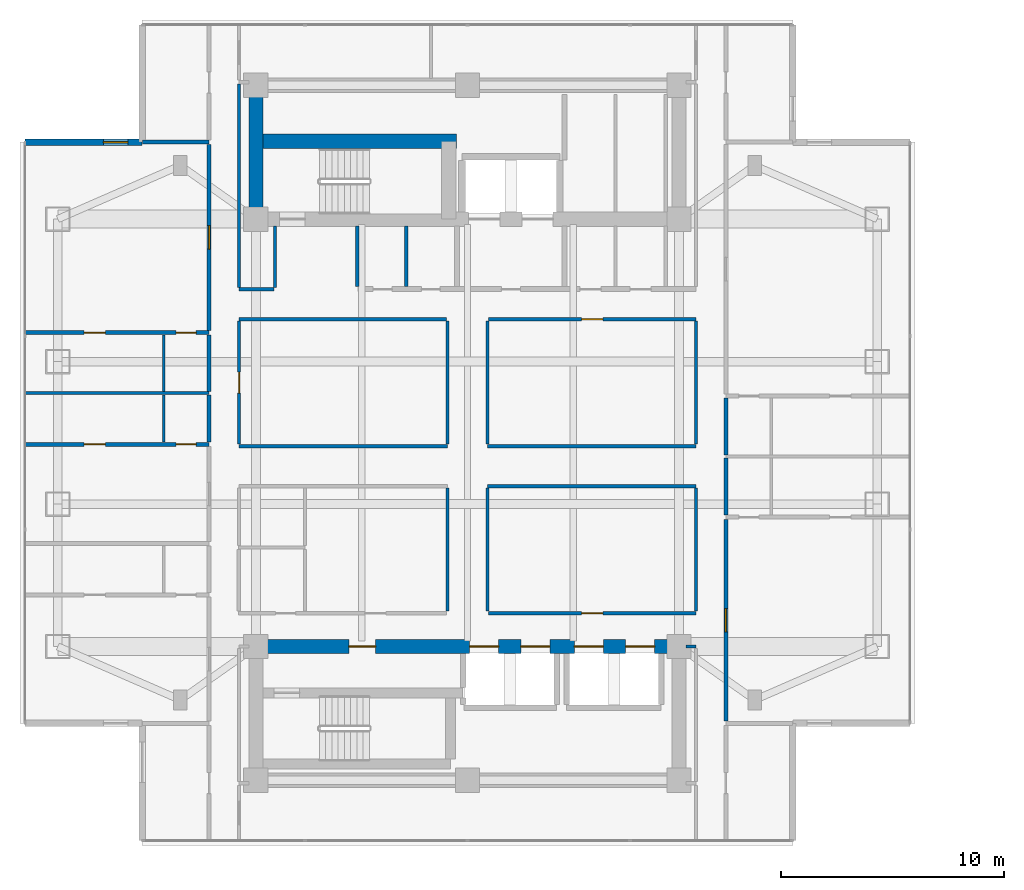
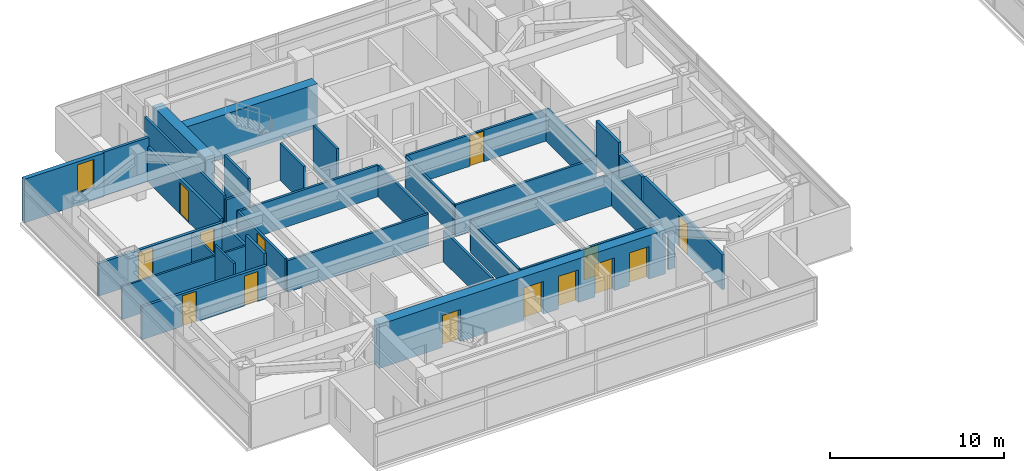
# One storey, part 14 of 24: 35 walls, 14 doors, 1 window, 15 openings.
"""IFC4 building model written with IfcOpenShell, lengths in metres."""

from ifc_helpers import new_model, si_unit, direction, frame, frame_2d, origin, place, context, subcontext, project, spatial, rectangle, extrude, material, layer, layer_set, type_object, element, fill, save


model = new_model("IFC4")

# Units and contexts
model_context = context("Model", 3, precision=1e-05, world=origin(), true_north=direction((0.0, 1.0)))
body_context = subcontext(model_context, "Body", "Model", "MODEL_VIEW")
ifc_project = project(units=[si_unit("LENGTHUNIT", "METRE"), si_unit("AREAUNIT", "SQUARE_METRE"), si_unit("VOLUMEUNIT", "CUBIC_METRE"), si_unit("PLANEANGLEUNIT", "RADIAN"), si_unit("MASSUNIT", "GRAM", prefix="KILO")], contexts=[model_context])

# Site, building, storey
site_placement = place(None, origin())
site = spatial("IfcSite", under=ifc_project, at=site_placement, CompositionType="ELEMENT")
building_placement = place(site_placement, origin())
building = spatial("IfcBuilding", under=site, at=building_placement, Name="Mirazonda Arch Towers", CompositionType="ELEMENT")
storey_placement = place(building_placement, frame((0.0, 0.0, 118.10009765625)))
storey = spatial("IfcBuildingStorey", under=building, at=storey_placement, Name="L33", CompositionType="ELEMENT", Elevation=118.10009765625)

# Walls
ifc_material_1 = material(Name="Concrete C60/75", Category="concrete")
ifc_layer_1 = layer(ifc_material_1, 0.64990234375, Name="WALL-CORE-650")
ifc_layer_set_1 = layer_set([ifc_layer_1], Name="Concrete C60/75")
wall_type_1 = type_object("IfcWallType", Name="WALL-CORE-650", PredefinedType="SHEAR", material=ifc_layer_set_1)
wall_1_placement = place(storey_placement, frame((11.0, 37.60009765625, 0.0), z_axis=(0.0, 0.0, 1.0), x_axis=(0.0, 1.0, 0.0)))
element("IfcWall", 1, at=wall_1_placement, inside=storey, type_object=wall_type_1, Name="L33 T1N-W Core Shear Wall", PredefinedType="SHEAR", context=body_context, shape_type="SweptSolid", body=[
    extrude(rectangle(XDim=6.0, YDim=0.64990234375, at=frame_2d((3.0, 0.0))), origin(), (0.0, 0.0, 1.0), 3.079833984375),
])
wall_2_placement = place(storey_placement, frame((11.0, 41.093017578125, 0.0), z_axis=(0.0, 0.0, 1.0), x_axis=(1.0, 0.0, 0.0)))
element("IfcWall", 2, at=wall_2_placement, inside=storey, type_object=wall_type_1, Name="L33 T1N-STN Core Shear Wall", PredefinedType="SHEAR", context=body_context, shape_type="SweptSolid", body=[
    extrude(rectangle(XDim=9.0, YDim=0.64990234375, at=frame_2d((4.5, 0.0))), origin(), (0.0, 0.0, 1.0), 3.079833984375),
])

# Wall, openings, doors
wall_3_placement = place(storey_placement, frame((11.0, 18.39990234375, 0.0), z_axis=(0.0, 0.0, 1.0), x_axis=(1.0, 0.0, 0.0)))
wall_3 = element("IfcWall", 3, at=wall_3_placement, inside=storey, type_object=wall_type_1, Name="L33 T1S-N Core Shear Wall", PredefinedType="SHEAR", context=body_context, shape_type="SweptSolid", body=[
    extrude(rectangle(XDim=19.0, YDim=0.64990234375, at=frame_2d((9.5, 0.0))), origin(), (0.0, 0.0, 1.0), 3.079833984375),
])
opening_1_placement = place(wall_3_placement, frame((4.175048828125, 0.0, 0.0)))
opening_1 = element("IfcOpeningElement", 4, at=opening_1_placement, cuts=wall_3, Name="Opening DR-117", PredefinedType="OPENING", context=body_context, shape_type="SweptSolid", body=[
    extrude(rectangle(XDim=1.199951171875, YDim=2.25, at=frame_2d((0.60009765625, 1.125))), frame((0.0, 0.3349609375, 0.0), z_axis=(0.0, -1.0, 0.0), x_axis=(1.0, 0.0, 0.0)), (0.0, 0.0, 1.0), 0.669921875),
])
opening_2_placement = place(wall_3_placement, frame((9.60009765625, 0.0, 0.0)))
opening_2 = element("IfcOpeningElement", 5, at=opening_2_placement, cuts=wall_3, Name="Opening LD-111", PredefinedType="OPENING", context=body_context, shape_type="SweptSolid", body=[
    extrude(rectangle(XDim=1.300048828125, YDim=2.300048828125, at=frame_2d((0.64990234375, 1.14990234375))), frame((0.0, 0.3349609375, 0.0), z_axis=(0.0, -1.0, 0.0), x_axis=(1.0, 0.0, 0.0)), (0.0, 0.0, 1.0), 0.669921875),
])
opening_3_placement = place(wall_3_placement, frame((11.89990234375, 0.0, 0.0)))
opening_3 = element("IfcOpeningElement", 6, at=opening_3_placement, cuts=wall_3, Name="Opening LD-111", PredefinedType="OPENING", context=body_context, shape_type="SweptSolid", body=[
    extrude(rectangle(XDim=1.300048828125, YDim=2.300048828125, at=frame_2d((0.64990234375, 1.14990234375))), frame((0.0, 0.3349609375, 0.0), z_axis=(0.0, -1.0, 0.0), x_axis=(1.0, 0.0, 0.0)), (0.0, 0.0, 1.0), 0.669921875),
])
opening_4_placement = place(wall_3_placement, frame((14.300048828125, 0.0, 0.0)))
opening_4 = element("IfcOpeningElement", 7, at=opening_4_placement, cuts=wall_3, Name="Opening LD-111", PredefinedType="OPENING", context=body_context, shape_type="SweptSolid", body=[
    extrude(rectangle(XDim=1.300048828125, YDim=2.300048828125, at=frame_2d((0.64990234375, 1.14990234375))), frame((0.0, 0.3349609375, 0.0), z_axis=(0.0, -1.0, 0.0), x_axis=(1.0, 0.0, 0.0)), (0.0, 0.0, 1.0), 0.669921875),
])
opening_5_placement = place(wall_3_placement, frame((16.60009765625, 0.0, 0.0)))
opening_5 = element("IfcOpeningElement", 8, at=opening_5_placement, cuts=wall_3, Name="Opening LD-111", PredefinedType="OPENING", context=body_context, shape_type="SweptSolid", body=[
    extrude(rectangle(XDim=1.300048828125, YDim=2.300048828125, at=frame_2d((0.64990234375, 1.14990234375))), frame((0.0, 0.3349609375, 0.0), z_axis=(0.0, -1.0, 0.0), x_axis=(1.0, 0.0, 0.0)), (0.0, 0.0, 1.0), 0.669921875),
])
ifc_material_2 = material(Name="Architectural Brushed Steel S355", Category="steel")
door_type_1 = type_object("IfcDoorType", Name="DOOR-FFL-FD90-1200", OperationType="NOTDEFINED", PredefinedType="DOOR", material=ifc_material_2)
door_1_placement = place(opening_1_placement, origin())
door_1 = element("IfcDoor", 9, at=door_1_placement, inside=storey, type_object=door_type_1, Name="L33 South Core Stair & Lift Lobby Door", OperationType="SINGLE_SWING_LEFT", OverallHeight=2.25, OverallWidth=1.199951171875, PredefinedType="DOOR", context=body_context, shape_type="SweptSolid", body=[
    extrude(rectangle(XDim=1.199951171875, YDim=2.25, at=frame_2d((0.60009765625, 1.125))), frame((0.0, 0.02490234375, 0.0), z_axis=(0.0, -1.0, 0.0), x_axis=(1.0, 0.0, 0.0)), (0.0, 0.0, 1.0), 0.050048828125),
])
fill(opening_1, door_1)
door_type_2 = type_object("IfcDoorType", Name="DOOR-LIFT-LAND-1300", OperationType="NOTDEFINED", PredefinedType="DOOR", material=ifc_material_2)
door_2_placement = place(opening_2_placement, origin())
door_2 = element("IfcDoor", 10, at=door_2_placement, inside=storey, type_object=door_type_2, Name="L33 Lift Landing Sliding Door PL-T1M1", OperationType="DOUBLE_DOOR_SLIDING", OverallHeight=2.300048828125, OverallWidth=1.300048828125, PredefinedType="DOOR", context=body_context, shape_type="SweptSolid", body=[
    extrude(rectangle(XDim=1.300048828125, YDim=2.300048828125, at=frame_2d((0.64990234375, 1.14990234375))), frame((0.0, 0.02490234375, 0.0), z_axis=(0.0, -1.0, 0.0), x_axis=(1.0, 0.0, 0.0)), (0.0, 0.0, 1.0), 0.050048828125),
])
fill(opening_2, door_2)
door_3_placement = place(opening_3_placement, origin())
door_3 = element("IfcDoor", 11, at=door_3_placement, inside=storey, type_object=door_type_2, Name="L33 Lift Landing Sliding Door PL-T1M2", OperationType="DOUBLE_DOOR_SLIDING", OverallHeight=2.300048828125, OverallWidth=1.300048828125, PredefinedType="DOOR", context=body_context, shape_type="SweptSolid", body=[
    extrude(rectangle(XDim=1.300048828125, YDim=2.300048828125, at=frame_2d((0.64990234375, 1.14990234375))), frame((0.0, 0.02490234375, 0.0), z_axis=(0.0, -1.0, 0.0), x_axis=(1.0, 0.0, 0.0)), (0.0, 0.0, 1.0), 0.050048828125),
])
fill(opening_3, door_3)
door_4_placement = place(opening_4_placement, origin())
door_4 = element("IfcDoor", 12, at=door_4_placement, inside=storey, type_object=door_type_2, Name="L33 Lift Landing Sliding Door PL-T1H1", OperationType="DOUBLE_DOOR_SLIDING", OverallHeight=2.300048828125, OverallWidth=1.300048828125, PredefinedType="DOOR", context=body_context, shape_type="SweptSolid", body=[
    extrude(rectangle(XDim=1.300048828125, YDim=2.300048828125, at=frame_2d((0.64990234375, 1.14990234375))), frame((0.0, 0.02490234375, 0.0), z_axis=(0.0, -1.0, 0.0), x_axis=(1.0, 0.0, 0.0)), (0.0, 0.0, 1.0), 0.050048828125),
])
fill(opening_4, door_4)
door_5_placement = place(opening_5_placement, origin())
door_5 = element("IfcDoor", 13, at=door_5_placement, inside=storey, type_object=door_type_2, Name="L33 Lift Landing Sliding Door PL-T1H2", OperationType="DOUBLE_DOOR_SLIDING", OverallHeight=2.300048828125, OverallWidth=1.300048828125, PredefinedType="DOOR", context=body_context, shape_type="SweptSolid", body=[
    extrude(rectangle(XDim=1.300048828125, YDim=2.300048828125, at=frame_2d((0.64990234375, 1.14990234375))), frame((0.0, 0.02490234375, 0.0), z_axis=(0.0, -1.0, 0.0), x_axis=(1.0, 0.0, 0.0)), (0.0, 0.0, 1.0), 0.050048828125),
])
fill(opening_5, door_5)

# Wall, opening, window
ifc_material_3 = material(Name="Precast Concrete C40/50", Category="concrete")
ifc_layer_2 = layer(ifc_material_3, 0.280029296875, Name="WALL-EXT-WALL-280")
ifc_layer_set_2 = layer_set([ifc_layer_2], Name="Precast Concrete C40/50")
wall_type_2 = type_object("IfcWallType", Name="WALL-EXT-WALL-280", PredefinedType="SOLIDWALL", material=ifc_layer_set_2)
wall_4_placement = place(storey_placement, frame((5.889892578125, 41.050048828125, 0.0), z_axis=(0.0, 0.0, 1.0), x_axis=(-1.0, 0.0, 0.0)))
wall_4 = element("IfcWall", 14, at=wall_4_placement, inside=storey, type_object=wall_type_2, Name="L33 T1 Corner Notch Return Wall WL-L33-T1-CNW1", PredefinedType="SOLIDWALL", context=body_context, shape_type="SweptSolid", body=[
    extrude(rectangle(XDim=5.269775390625, YDim=0.280029296875, at=frame_2d((2.634765625, 0.0))), origin(), (0.0, 0.0, 1.0), 3.059814453125),
])
opening_6_placement = place(wall_4_placement, frame((0.64990234375, 0.0, 0.85009765625)))
opening_6 = element("IfcOpeningElement", 15, at=opening_6_placement, cuts=wall_4, Name="Opening WN-108", PredefinedType="OPENING", context=body_context, shape_type="SweptSolid", body=[
    extrude(rectangle(XDim=1.10009765625, YDim=2.0, at=frame_2d((0.550048828125, 1.0))), frame((0.0, 0.14990234375, 0.0), z_axis=(0.0, -1.0, 0.0), x_axis=(1.0, 0.0, 0.0)), (0.0, 0.0, 1.0), 0.300048828125),
])
ifc_material_4 = material(Name="Insulated Low-E Solar Glass", Category="glass")
window_type = type_object("IfcWindowType", Name="WIN-NOTCH-1100x2000", PartitioningType="SINGLE_PANEL", PredefinedType="WINDOW", material=ifc_material_4)
window_placement = place(opening_6_placement, origin())
window = element("IfcWindow", 16, at=window_placement, inside=storey, type_object=window_type, Name="L33 Punched Facade Window WN-L33-T1-CNW1", OverallHeight=2.0, OverallWidth=1.10009765625, PartitioningType="SINGLE_PANEL", PredefinedType="WINDOW", context=body_context, shape_type="SweptSolid", body=[
    extrude(rectangle(XDim=1.10009765625, YDim=2.0, at=frame_2d((0.550048828125, 1.0))), frame((0.0, 0.030029296875, 0.0), z_axis=(0.0, -1.0, 0.0), x_axis=(1.0, 0.0, 0.0)), (0.0, 0.0, 1.0), 0.06005859375),
])
fill(opening_6, window)

# Wall
ifc_material_5 = material(Name="Fire-Rated Gypsum Stud Partition")
ifc_layer_3 = layer(ifc_material_5, 0.14990234375, Name="WALL-PART-CORR-150")
ifc_layer_set_3 = layer_set([ifc_layer_3], Name="Fire-Rated Gypsum Stud Partition")
wall_type_3 = type_object("IfcWallType", Name="WALL-PART-CORR-150", PredefinedType="PARTITIONING", material=ifc_layer_set_3)
wall_5_placement = place(storey_placement, frame((30.320068359375, 18.39990234375, 0.0), z_axis=(0.0, 0.0, 1.0), x_axis=(1.0, 0.0, 0.0)))
element("IfcWall", 17, at=wall_5_placement, inside=storey, type_object=wall_type_3, Name="L33 Interior Partition 013", PredefinedType="PARTITIONING", context=body_context, shape_type="SweptSolid", body=[
    extrude(rectangle(XDim=0.43994140625, YDim=0.14990234375, at=frame_2d((0.219970703125, 0.0))), origin(), (0.0, 0.0, 1.0), 2.455810546875),
])

# Wall, opening, door
wall_6_placement = place(storey_placement, frame((21.43994140625, 19.89990234375, 0.0), z_axis=(0.0, 0.0, 1.0), x_axis=(1.0, 0.0, 0.0)))
wall_6 = element("IfcWall", 18, at=wall_6_placement, inside=storey, type_object=wall_type_3, Name="L33 Interior Partition 016", PredefinedType="PARTITIONING", context=body_context, shape_type="SweptSolid", body=[
    extrude(rectangle(XDim=9.320068359375, YDim=0.14990234375, at=frame_2d((4.66015625, 0.0))), origin(), (0.0, 0.0, 1.0), 2.2158203125),
])
opening_7_placement = place(wall_6_placement, frame((4.18505859375, 0.0, 0.0)))
opening_7 = element("IfcOpeningElement", 19, at=opening_7_placement, cuts=wall_6, Name="Opening DR-104", PredefinedType="OPENING", context=body_context, shape_type="SweptSolid", body=[
    extrude(rectangle(XDim=0.949951171875, YDim=2.14990234375, at=frame_2d((0.47509765625, 1.074951171875))), frame((0.0, 0.0849609375, 0.0), z_axis=(0.0, -1.0, 0.0), x_axis=(1.0, 0.0, 0.0)), (0.0, 0.0, 1.0), 0.169921875),
])
door_type_3 = type_object("IfcDoorType", Name="DOOR-ROOM-950", OperationType="NOTDEFINED", PredefinedType="DOOR", material=ifc_material_2)
door_6_placement = place(opening_7_placement, origin())
door_6 = element("IfcDoor", 20, at=door_6_placement, inside=storey, type_object=door_type_3, Name="L33 L33 South-East Cruciform Lounge Door", OperationType="SINGLE_SWING_LEFT", OverallHeight=2.14990234375, OverallWidth=0.949951171875, PredefinedType="DOOR", context=body_context, shape_type="SweptSolid", body=[
    extrude(rectangle(XDim=0.949951171875, YDim=2.14990234375, at=frame_2d((0.47509765625, 1.074951171875))), frame((0.0, 0.02490234375, 0.0), z_axis=(0.0, -1.0, 0.0), x_axis=(1.0, 0.0, 0.0)), (0.0, 0.0, 1.0), 0.050048828125),
])
fill(opening_7, door_6)

# Walls
for number, where, z_axis, x_axis, name in (
    (21, (21.39990234375, 25.60009765625, 0.0), (0.0, 0.0, 1.0), (1.0, 0.0, 0.0), "L33 Interior Partition 030"),
    (22, (10.239990234375, 27.39990234375, 0.0), (0.0, 0.0, 1.0), (1.0, 0.0, 0.0), "L33 Interior Partition 036"),
    (23, (21.39990234375, 27.39990234375, 0.0), (0.0, 0.0, 1.0), (1.0, 0.0, 0.0), "L33 Interior Partition 037"),
):
    element("IfcWall", number, at=place(storey_placement, frame(where, z_axis=z_axis, x_axis=x_axis)), inside=storey, type_object=wall_type_3, Name=name, PredefinedType="PARTITIONING", context=body_context, shape_type="SweptSolid", body=[
        extrude(rectangle(XDim=9.360107421875, YDim=0.14990234375, at=frame_2d((4.68017578125, 0.0))), origin(), (0.0, 0.0, 1.0), 2.2158203125),
    ])
wall_7_placement = place(storey_placement, frame((10.239990234375, 33.10009765625, 0.0), z_axis=(0.0, 0.0, 1.0), x_axis=(1.0, 0.0, 0.0)))
element("IfcWall", 24, at=wall_7_placement, inside=storey, type_object=wall_type_3, Name="L33 Interior Partition 048", PredefinedType="PARTITIONING", context=body_context, shape_type="SweptSolid", body=[
    extrude(rectangle(XDim=9.320068359375, YDim=0.14990234375, at=frame_2d((4.66015625, 0.0))), origin(), (0.0, 0.0, 1.0), 2.2158203125),
])

# Wall, opening, door
wall_8_placement = place(storey_placement, frame((21.43994140625, 33.10009765625, 0.0), z_axis=(0.0, 0.0, 1.0), x_axis=(1.0, 0.0, 0.0)))
wall_8 = element("IfcWall", 25, at=wall_8_placement, inside=storey, type_object=wall_type_3, Name="L33 Interior Partition 049", PredefinedType="PARTITIONING", context=body_context, shape_type="SweptSolid", body=[
    extrude(rectangle(XDim=9.320068359375, YDim=0.14990234375, at=frame_2d((4.66015625, 0.0))), origin(), (0.0, 0.0, 1.0), 2.2158203125),
])
opening_8_placement = place(wall_8_placement, frame((4.18505859375, 0.0, 0.0)))
opening_8 = element("IfcOpeningElement", 26, at=opening_8_placement, cuts=wall_8, Name="Opening DR-104", PredefinedType="OPENING", context=body_context, shape_type="SweptSolid", body=[
    extrude(rectangle(XDim=0.949951171875, YDim=2.14990234375, at=frame_2d((0.47509765625, 1.074951171875))), frame((0.0, 0.0849609375, 0.0), z_axis=(0.0, -1.0, 0.0), x_axis=(1.0, 0.0, 0.0)), (0.0, 0.0, 1.0), 0.169921875),
])
door_7_placement = place(opening_8_placement, origin())
door_7 = element("IfcDoor", 27, at=door_7_placement, inside=storey, type_object=door_type_3, Name="L33 L33 North-East Cruciform Study Door", OperationType="SINGLE_SWING_RIGHT", OverallHeight=2.14990234375, OverallWidth=0.949951171875, PredefinedType="DOOR", context=body_context, shape_type="SweptSolid", body=[
    extrude(rectangle(XDim=0.949951171875, YDim=2.14990234375, at=frame_2d((0.47509765625, 1.074951171875))), frame((0.0, 0.02490234375, 0.0), z_axis=(0.0, -1.0, 0.0), x_axis=(1.0, 0.0, 0.0)), (0.0, 0.0, 1.0), 0.050048828125),
])
fill(opening_8, door_7)

# Wall
wall_9_placement = place(storey_placement, frame((10.239990234375, 34.449951171875, 0.0), z_axis=(0.0, 0.0, 1.0), x_axis=(1.0, 0.0, 0.0)))
element("IfcWall", 28, at=wall_9_placement, inside=storey, type_object=wall_type_3, Name="L33 Interior Partition 050", PredefinedType="PARTITIONING", context=body_context, shape_type="SweptSolid", body=[
    extrude(rectangle(XDim=1.56005859375, YDim=0.14990234375, at=frame_2d((0.780029296875, 0.0))), origin(), (0.0, 0.0, 1.0), 2.2158203125),
])

# Wall, opening, door
wall_10_placement = place(storey_placement, frame((10.239990234375, 27.485107421875, 0.0), z_axis=(0.0, 0.0, 1.0), x_axis=(0.0, 1.0, 0.0)))
wall_10 = element("IfcWall", 29, at=wall_10_placement, inside=storey, type_object=wall_type_3, Name="L33 Interior Partition 078", PredefinedType="PARTITIONING", context=body_context, shape_type="SweptSolid", body=[
    extrude(rectangle(XDim=5.52978515625, YDim=0.14990234375, at=frame_2d((2.764892578125, 0.0))), origin(), (0.0, 0.0, 1.0), 2.298828125),
])
opening_9_placement = place(wall_10_placement, frame((2.2900390625, 0.0, 0.0)))
opening_9 = element("IfcOpeningElement", 30, at=opening_9_placement, cuts=wall_10, Name="Opening DR-104", PredefinedType="OPENING", context=body_context, shape_type="SweptSolid", body=[
    extrude(rectangle(XDim=0.949951171875, YDim=2.14990234375, at=frame_2d((0.47509765625, 1.074951171875))), frame((0.0, 0.0849609375, 0.0), z_axis=(0.0, -1.0, 0.0), x_axis=(1.0, 0.0, 0.0)), (0.0, 0.0, 1.0), 0.169921875),
])
door_8_placement = place(opening_9_placement, origin())
door_8 = element("IfcDoor", 31, at=door_8_placement, inside=storey, type_object=door_type_3, Name="L33 L33 West Courtyard Reading Salon Door", OperationType="SINGLE_SWING_RIGHT", OverallHeight=2.14990234375, OverallWidth=0.949951171875, PredefinedType="DOOR", context=body_context, shape_type="SweptSolid", body=[
    extrude(rectangle(XDim=0.949951171875, YDim=2.14990234375, at=frame_2d((0.47509765625, 1.074951171875))), frame((0.0, 0.02490234375, 0.0), z_axis=(0.0, -1.0, 0.0), x_axis=(1.0, 0.0, 0.0)), (0.0, 0.0, 1.0), 0.050048828125),
])
fill(opening_9, door_8)

# Walls
wall_11_placement = place(storey_placement, frame((10.239990234375, 34.534912109375, 0.0), z_axis=(0.0, 0.0, 1.0), x_axis=(0.0, 1.0, 0.0)))
element("IfcWall", 32, at=wall_11_placement, inside=storey, type_object=wall_type_3, Name="L33 Interior Partition 079", PredefinedType="PARTITIONING", context=body_context, shape_type="SweptSolid", body=[
    extrude(rectangle(XDim=9.130126953125, YDim=0.14990234375, at=frame_2d((4.56494140625, 0.0))), origin(), (0.0, 0.0, 1.0), 2.455810546875),
])
wall_12_placement = place(storey_placement, frame((11.85009765625, 34.534912109375, 0.0), z_axis=(0.0, 0.0, 1.0), x_axis=(0.0, 1.0, 0.0)))
element("IfcWall", 33, at=wall_12_placement, inside=storey, type_object=wall_type_3, Name="L33 Interior Partition 081", PredefinedType="PARTITIONING", context=body_context, shape_type="SweptSolid", body=[
    extrude(rectangle(XDim=2.7451171875, YDim=0.14990234375, at=frame_2d((1.37255859375, 0.0))), origin(), (0.0, 0.0, 1.0), 3.079833984375),
])
wall_13_placement = place(storey_placement, frame((15.550048828125, 34.570068359375, 0.0), z_axis=(0.0, 0.0, 1.0), x_axis=(0.0, 1.0, 0.0)))
element("IfcWall", 34, at=wall_13_placement, inside=storey, type_object=wall_type_3, Name="L33 Interior Partition 084", PredefinedType="PARTITIONING", context=body_context, shape_type="SweptSolid", body=[
    extrude(rectangle(XDim=2.7099609375, YDim=0.14990234375, at=frame_2d((1.35498046875, 0.0))), origin(), (0.0, 0.0, 1.0), 2.60888671875),
])
wall_14_placement = place(storey_placement, frame((17.75, 34.570068359375, 0.0), z_axis=(0.0, 0.0, 1.0), x_axis=(0.0, 1.0, 0.0)))
element("IfcWall", 35, at=wall_14_placement, inside=storey, type_object=wall_type_3, Name="L33 Interior Partition 085", PredefinedType="PARTITIONING", context=body_context, shape_type="SweptSolid", body=[
    extrude(rectangle(XDim=2.7099609375, YDim=0.14990234375, at=frame_2d((1.35498046875, 0.0))), origin(), (0.0, 0.0, 1.0), 3.079833984375),
])
for number, where, z_axis, x_axis, name in (
    (36, (19.60009765625, 19.985107421875, 0.0), (0.0, 0.0, 1.0), (0.0, 1.0, 0.0), "L33 Interior Partition 087"),
    (37, (19.60009765625, 27.485107421875, 0.0), (0.0, 0.0, 1.0), (0.0, 1.0, 0.0), "L33 Interior Partition 088"),
    (38, (21.39990234375, 19.985107421875, 0.0), (0.0, 0.0, 1.0), (0.0, 1.0, 0.0), "L33 Interior Partition 094"),
    (39, (21.39990234375, 27.485107421875, 0.0), (0.0, 0.0, 1.0), (0.0, 1.0, 0.0), "L33 Interior Partition 095"),
):
    element("IfcWall", number, at=place(storey_placement, frame(where, z_axis=z_axis, x_axis=x_axis)), inside=storey, type_object=wall_type_3, Name=name, PredefinedType="PARTITIONING", context=body_context, shape_type="SweptSolid", body=[
        extrude(rectangle(XDim=5.52978515625, YDim=0.14990234375, at=frame_2d((2.764892578125, 0.0))), origin(), (0.0, 0.0, 1.0), 2.2158203125),
    ])
for number, where, z_axis, x_axis, name in (
    (40, (30.760009765625, 19.985107421875, 0.0), (0.0, 0.0, 1.0), (0.0, 1.0, 0.0), "L33 Interior Partition 108"),
    (41, (30.760009765625, 27.485107421875, 0.0), (0.0, 0.0, 1.0), (0.0, 1.0, 0.0), "L33 Interior Partition 109"),
):
    element("IfcWall", number, at=place(storey_placement, frame(where, z_axis=z_axis, x_axis=x_axis)), inside=storey, type_object=wall_type_3, Name=name, PredefinedType="PARTITIONING", context=body_context, shape_type="SweptSolid", body=[
        extrude(rectangle(XDim=5.52978515625, YDim=0.14990234375, at=frame_2d((2.764892578125, 0.0))), origin(), (0.0, 0.0, 1.0), 2.298828125),
    ])

# Wall, openings, doors
ifc_material_6 = material(Name="Fire-Rated Gypsum Twin-Stud Assembly")
ifc_layer_4 = layer(ifc_material_6, 0.179931640625, Name="WALL-PART-DEMISE-180")
ifc_layer_set_4 = layer_set([ifc_layer_4], Name="Fire-Rated Gypsum Twin-Stud Assembly")
wall_type_4 = type_object("IfcWallType", Name="WALL-PART-DEMISE-180", PredefinedType="PARTITIONING", material=ifc_layer_set_4)
wall_15_placement = place(storey_placement, frame((0.6201171875, 27.47998046875, 0.0), z_axis=(0.0, 0.0, 1.0), x_axis=(1.0, 0.0, 0.0)))
wall_15 = element("IfcWall", 42, at=wall_15_placement, inside=storey, type_object=wall_type_4, Name="L33 Interior Partition 035", PredefinedType="PARTITIONING", context=body_context, shape_type="SweptSolid", body=[
    extrude(rectangle(XDim=8.27978515625, YDim=0.179931640625, at=frame_2d((4.139892578125, 0.0))), origin(), (0.0, 0.0, 1.0), 2.298828125),
])
opening_10_placement = place(wall_15_placement, frame((2.6650390625, 0.0, 0.0)))
opening_10 = element("IfcOpeningElement", 43, at=opening_10_placement, cuts=wall_15, Name="Opening DR-104", PredefinedType="OPENING", context=body_context, shape_type="SweptSolid", body=[
    extrude(rectangle(XDim=0.949951171875, YDim=2.14990234375, at=frame_2d((0.47509765625, 1.074951171875))), frame((0.0, 0.099853515625, 0.0), z_axis=(0.0, -1.0, 0.0), x_axis=(1.0, 0.0, 0.0)), (0.0, 0.0, 1.0), 0.199951171875),
])
opening_11_placement = place(wall_15_placement, frame((6.7900390625, 0.0, 0.0)))
opening_11 = element("IfcOpeningElement", 44, at=opening_11_placement, cuts=wall_15, Name="Opening DR-120", PredefinedType="OPENING", context=body_context, shape_type="SweptSolid", body=[
    extrude(rectangle(XDim=0.89990234375, YDim=2.10009765625, at=frame_2d((0.449951171875, 1.050048828125))), frame((0.0, 0.099853515625, 0.0), z_axis=(0.0, -1.0, 0.0), x_axis=(1.0, 0.0, 0.0)), (0.0, 0.0, 1.0), 0.199951171875),
])
door_9_placement = place(opening_10_placement, origin())
door_9 = element("IfcDoor", 45, at=door_9_placement, inside=storey, type_object=door_type_3, Name="L33 Suite Bedroom 2 Door", OperationType="SINGLE_SWING_RIGHT", OverallHeight=2.14990234375, OverallWidth=0.949951171875, PredefinedType="DOOR", context=body_context, shape_type="SweptSolid", body=[
    extrude(rectangle(XDim=0.949951171875, YDim=2.14990234375, at=frame_2d((0.47509765625, 1.074951171875))), frame((0.0, 0.02490234375, 0.0), z_axis=(0.0, -1.0, 0.0), x_axis=(1.0, 0.0, 0.0)), (0.0, 0.0, 1.0), 0.050048828125),
])
fill(opening_10, door_9)
door_type_4 = type_object("IfcDoorType", Name="DOOR-WC-900", OperationType="NOTDEFINED", PredefinedType="DOOR", material=ifc_material_2)
door_10_placement = place(opening_11_placement, origin())
door_10 = element("IfcDoor", 46, at=door_10_placement, inside=storey, type_object=door_type_4, Name="L33 Suite En-Suite Bathroom 2 Door", OperationType="SINGLE_SWING_LEFT", OverallHeight=2.10009765625, OverallWidth=0.89990234375, PredefinedType="DOOR", context=body_context, shape_type="SweptSolid", body=[
    extrude(rectangle(XDim=0.89990234375, YDim=2.10009765625, at=frame_2d((0.449951171875, 1.050048828125))), frame((0.0, 0.02490234375, 0.0), z_axis=(0.0, -1.0, 0.0), x_axis=(1.0, 0.0, 0.0)), (0.0, 0.0, 1.0), 0.050048828125),
])
fill(opening_11, door_10)

wall_16_placement = place(storey_placement, frame((0.6201171875, 32.5, 0.0), z_axis=(0.0, 0.0, 1.0), x_axis=(1.0, 0.0, 0.0)))
wall_16 = element("IfcWall", 47, at=wall_16_placement, inside=storey, type_object=wall_type_4, Name="L33 Interior Partition 047", PredefinedType="PARTITIONING", context=body_context, shape_type="SweptSolid", body=[
    extrude(rectangle(XDim=8.27978515625, YDim=0.179931640625, at=frame_2d((4.139892578125, 0.0))), origin(), (0.0, 0.0, 1.0), 2.298828125),
])
opening_12_placement = place(wall_16_placement, frame((2.6650390625, 0.0, 0.0)))
opening_12 = element("IfcOpeningElement", 48, at=opening_12_placement, cuts=wall_16, Name="Opening DR-104", PredefinedType="OPENING", context=body_context, shape_type="SweptSolid", body=[
    extrude(rectangle(XDim=0.949951171875, YDim=2.14990234375, at=frame_2d((0.47509765625, 1.074951171875))), frame((0.0, 0.099853515625, 0.0), z_axis=(0.0, -1.0, 0.0), x_axis=(1.0, 0.0, 0.0)), (0.0, 0.0, 1.0), 0.199951171875),
])
opening_13_placement = place(wall_16_placement, frame((6.7900390625, 0.0, 0.0)))
opening_13 = element("IfcOpeningElement", 49, at=opening_13_placement, cuts=wall_16, Name="Opening DR-120", PredefinedType="OPENING", context=body_context, shape_type="SweptSolid", body=[
    extrude(rectangle(XDim=0.89990234375, YDim=2.10009765625, at=frame_2d((0.449951171875, 1.050048828125))), frame((0.0, 0.099853515625, 0.0), z_axis=(0.0, -1.0, 0.0), x_axis=(1.0, 0.0, 0.0)), (0.0, 0.0, 1.0), 0.199951171875),
])
door_11_placement = place(opening_12_placement, origin())
door_11 = element("IfcDoor", 50, at=door_11_placement, inside=storey, type_object=door_type_3, Name="L33 Suite Bedroom 3 Door", OperationType="SINGLE_SWING_LEFT", OverallHeight=2.14990234375, OverallWidth=0.949951171875, PredefinedType="DOOR", context=body_context, shape_type="SweptSolid", body=[
    extrude(rectangle(XDim=0.949951171875, YDim=2.14990234375, at=frame_2d((0.47509765625, 1.074951171875))), frame((0.0, 0.02490234375, 0.0), z_axis=(0.0, -1.0, 0.0), x_axis=(1.0, 0.0, 0.0)), (0.0, 0.0, 1.0), 0.050048828125),
])
fill(opening_12, door_11)
door_12_placement = place(opening_13_placement, origin())
door_12 = element("IfcDoor", 51, at=door_12_placement, inside=storey, type_object=door_type_4, Name="L33 Suite En-Suite Bathroom 3 Door", OperationType="SINGLE_SWING_RIGHT", OverallHeight=2.10009765625, OverallWidth=0.89990234375, PredefinedType="DOOR", context=body_context, shape_type="SweptSolid", body=[
    extrude(rectangle(XDim=0.89990234375, YDim=2.10009765625, at=frame_2d((0.449951171875, 1.050048828125))), frame((0.0, 0.02490234375, 0.0), z_axis=(0.0, -1.0, 0.0), x_axis=(1.0, 0.0, 0.0)), (0.0, 0.0, 1.0), 0.050048828125),
])
fill(opening_13, door_12)

# Walls
wall_17_placement = place(storey_placement, frame((5.909912109375, 41.050048828125, 0.0), z_axis=(0.0, 0.0, 1.0), x_axis=(1.0, 0.0, 0.0)))
element("IfcWall", 52, at=wall_17_placement, inside=storey, type_object=wall_type_4, Name="L33 Interior Partition 059", PredefinedType="PARTITIONING", context=body_context, shape_type="SweptSolid", body=[
    extrude(rectangle(XDim=2.989990234375, YDim=0.179931640625, at=frame_2d((1.4951171875, 0.0))), origin(), (0.0, 0.0, 1.0), 3.079833984375),
])
wall_18_placement = place(storey_placement, frame((8.89990234375, 27.580078125, 0.0), z_axis=(0.0, 0.0, 1.0), x_axis=(0.0, 1.0, 0.0)))
element("IfcWall", 53, at=wall_18_placement, inside=storey, type_object=wall_type_4, Name="L33 Interior Partition 070", PredefinedType="PARTITIONING", context=body_context, shape_type="SweptSolid", body=[
    extrude(rectangle(XDim=2.12744140625, YDim=0.179931640625, at=frame_2d((1.063720703125, 0.0))), origin(), (0.0, 0.0, 1.0), 3.079833984375),
])
wall_19_placement = place(storey_placement, frame((8.89990234375, 29.8525390625, 0.0), z_axis=(0.0, 0.0, 1.0), x_axis=(0.0, 1.0, 0.0)))
element("IfcWall", 54, at=wall_19_placement, inside=storey, type_object=wall_type_4, Name="L33 Interior Partition 071", PredefinedType="PARTITIONING", context=body_context, shape_type="SweptSolid", body=[
    extrude(rectangle(XDim=2.54736328125, YDim=0.179931640625, at=frame_2d((1.273681640625, 0.0))), origin(), (0.0, 0.0, 1.0), 2.298828125),
])

# Wall, opening, door
wall_20_placement = place(storey_placement, frame((8.89990234375, 32.60009765625, 0.0), z_axis=(0.0, 0.0, 1.0), x_axis=(0.0, 1.0, 0.0)))
wall_20 = element("IfcWall", 55, at=wall_20_placement, inside=storey, type_object=wall_type_4, Name="L33 Interior Partition 072", PredefinedType="PARTITIONING", context=body_context, shape_type="SweptSolid", body=[
    extrude(rectangle(XDim=8.349853515625, YDim=0.179931640625, at=frame_2d((4.1748046875, 0.0))), origin(), (0.0, 0.0, 1.0), 2.455810546875),
])
opening_14_placement = place(wall_20_placement, frame((3.64990234375, 0.0, 0.0)))
opening_14 = element("IfcOpeningElement", 56, at=opening_14_placement, cuts=wall_20, Name="Opening DR-121", PredefinedType="OPENING", context=body_context, shape_type="SweptSolid", body=[
    extrude(rectangle(XDim=1.050048828125, YDim=2.199951171875, at=frame_2d((0.52490234375, 1.10009765625))), frame((0.0, 0.099853515625, 0.0), z_axis=(0.0, -1.0, 0.0), x_axis=(1.0, 0.0, 0.0)), (0.0, 0.0, 1.0), 0.199951171875),
])
door_type_5 = type_object("IfcDoorType", Name="DOOR-SUITE-FD60-1050", OperationType="NOTDEFINED", PredefinedType="DOOR", material=ifc_material_2)
door_13_placement = place(opening_14_placement, origin())
door_13 = element("IfcDoor", 57, at=door_13_placement, inside=storey, type_object=door_type_5, Name="L33 Deluxe Suite Living Room 3 Door", OperationType="SINGLE_SWING_RIGHT", OverallHeight=2.199951171875, OverallWidth=1.050048828125, PredefinedType="DOOR", context=body_context, shape_type="SweptSolid", body=[
    extrude(rectangle(XDim=1.050048828125, YDim=2.199951171875, at=frame_2d((0.52490234375, 1.10009765625))), frame((0.0, 0.02490234375, 0.0), z_axis=(0.0, -1.0, 0.0), x_axis=(1.0, 0.0, 0.0)), (0.0, 0.0, 1.0), 0.050048828125),
])
fill(opening_14, door_13)

wall_21_placement = place(storey_placement, frame((32.10009765625, 15.050048828125, 0.0), z_axis=(0.0, 0.0, 1.0), x_axis=(0.0, 1.0, 0.0)))
wall_21 = element("IfcWall", 58, at=wall_21_placement, inside=storey, type_object=wall_type_4, Name="L33 Interior Partition 113", PredefinedType="PARTITIONING", context=body_context, shape_type="SweptSolid", body=[
    extrude(rectangle(XDim=9.06201171875, YDim=0.179931640625, at=frame_2d((4.531005859375, 0.0))), origin(), (0.0, 0.0, 1.0), 2.455810546875),
])
opening_15_placement = place(wall_21_placement, frame((4.006103515625, 0.0, 0.0)))
opening_15 = element("IfcOpeningElement", 59, at=opening_15_placement, cuts=wall_21, Name="Opening DR-121", PredefinedType="OPENING", context=body_context, shape_type="SweptSolid", body=[
    extrude(rectangle(XDim=1.050048828125, YDim=2.199951171875, at=frame_2d((0.52490234375, 1.10009765625))), frame((0.0, 0.099853515625, 0.0), z_axis=(0.0, -1.0, 0.0), x_axis=(1.0, 0.0, 0.0)), (0.0, 0.0, 1.0), 0.199951171875),
])
door_14_placement = place(opening_15_placement, origin())
door_14 = element("IfcDoor", 60, at=door_14_placement, inside=storey, type_object=door_type_5, Name="L33 Presidential Hotel Suite 1 Door", OperationType="SINGLE_SWING_LEFT", OverallHeight=2.199951171875, OverallWidth=1.050048828125, PredefinedType="DOOR", context=body_context, shape_type="SweptSolid", body=[
    extrude(rectangle(XDim=1.050048828125, YDim=2.199951171875, at=frame_2d((0.52490234375, 1.10009765625))), frame((0.0, 0.02490234375, 0.0), z_axis=(0.0, -1.0, 0.0), x_axis=(1.0, 0.0, 0.0)), (0.0, 0.0, 1.0), 0.050048828125),
])
fill(opening_15, door_14)

# Walls
wall_22_placement = place(storey_placement, frame((32.10009765625, 24.31201171875, 0.0), z_axis=(0.0, 0.0, 1.0), x_axis=(0.0, 1.0, 0.0)))
element("IfcWall", 61, at=wall_22_placement, inside=storey, type_object=wall_type_4, Name="L33 Interior Partition 114", PredefinedType="PARTITIONING", context=body_context, shape_type="SweptSolid", body=[
    extrude(rectangle(XDim=2.547607421875, YDim=0.179931640625, at=frame_2d((1.27392578125, 0.0))), origin(), (0.0, 0.0, 1.0), 2.298828125),
])
wall_23_placement = place(storey_placement, frame((32.10009765625, 27.00439453125, 0.0), z_axis=(0.0, 0.0, 1.0), x_axis=(0.0, 1.0, 0.0)))
element("IfcWall", 62, at=wall_23_placement, inside=storey, type_object=wall_type_4, Name="L33 Interior Partition 115", PredefinedType="PARTITIONING", context=body_context, shape_type="SweptSolid", body=[
    extrude(rectangle(XDim=2.547607421875, YDim=0.179931640625, at=frame_2d((1.27392578125, 0.0))), origin(), (0.0, 0.0, 1.0), 3.079833984375),
])
ifc_material_7 = material(Name="Acoustic Fire-Rated Gypsum Partition")
ifc_layer_5 = layer(ifc_material_7, 0.125, Name="WALL-PART-UNIT-125")
ifc_layer_set_5 = layer_set([ifc_layer_5], Name="Acoustic Fire-Rated Gypsum Partition")
wall_type_5 = type_object("IfcWallType", Name="WALL-PART-UNIT-125", PredefinedType="PARTITIONING", material=ifc_layer_set_5)
wall_24_placement = place(storey_placement, frame((0.6201171875, 29.780029296875, 0.0), z_axis=(0.0, 0.0, 1.0), x_axis=(1.0, 0.0, 0.0)))
element("IfcWall", 63, at=wall_24_placement, inside=storey, type_object=wall_type_5, Name="L33 Interior Partition 040", PredefinedType="PARTITIONING", context=body_context, shape_type="SweptSolid", body=[
    extrude(rectangle(XDim=8.27978515625, YDim=0.125, at=frame_2d((4.139892578125, 0.0))), origin(), (0.0, 0.0, 1.0), 2.298828125),
])
wall_25_placement = place(storey_placement, frame((6.860107421875, 27.580078125, 0.0), z_axis=(0.0, 0.0, 1.0), x_axis=(0.0, 1.0, 0.0)))
element("IfcWall", 64, at=wall_25_placement, inside=storey, type_object=wall_type_5, Name="L33 Interior Partition 064", PredefinedType="PARTITIONING", context=body_context, shape_type="SweptSolid", body=[
    extrude(rectangle(XDim=2.12744140625, YDim=0.125, at=frame_2d((1.063720703125, 0.0))), origin(), (0.0, 0.0, 1.0), 3.079833984375),
])
wall_26_placement = place(storey_placement, frame((6.860107421875, 29.8525390625, 0.0), z_axis=(0.0, 0.0, 1.0), x_axis=(0.0, 1.0, 0.0)))
element("IfcWall", 65, at=wall_26_placement, inside=storey, type_object=wall_type_5, Name="L33 Interior Partition 065", PredefinedType="PARTITIONING", context=body_context, shape_type="SweptSolid", body=[
    extrude(rectangle(XDim=2.54736328125, YDim=0.125, at=frame_2d((1.273681640625, 0.0))), origin(), (0.0, 0.0, 1.0), 2.298828125),
])

save(model, "model.ifc")
